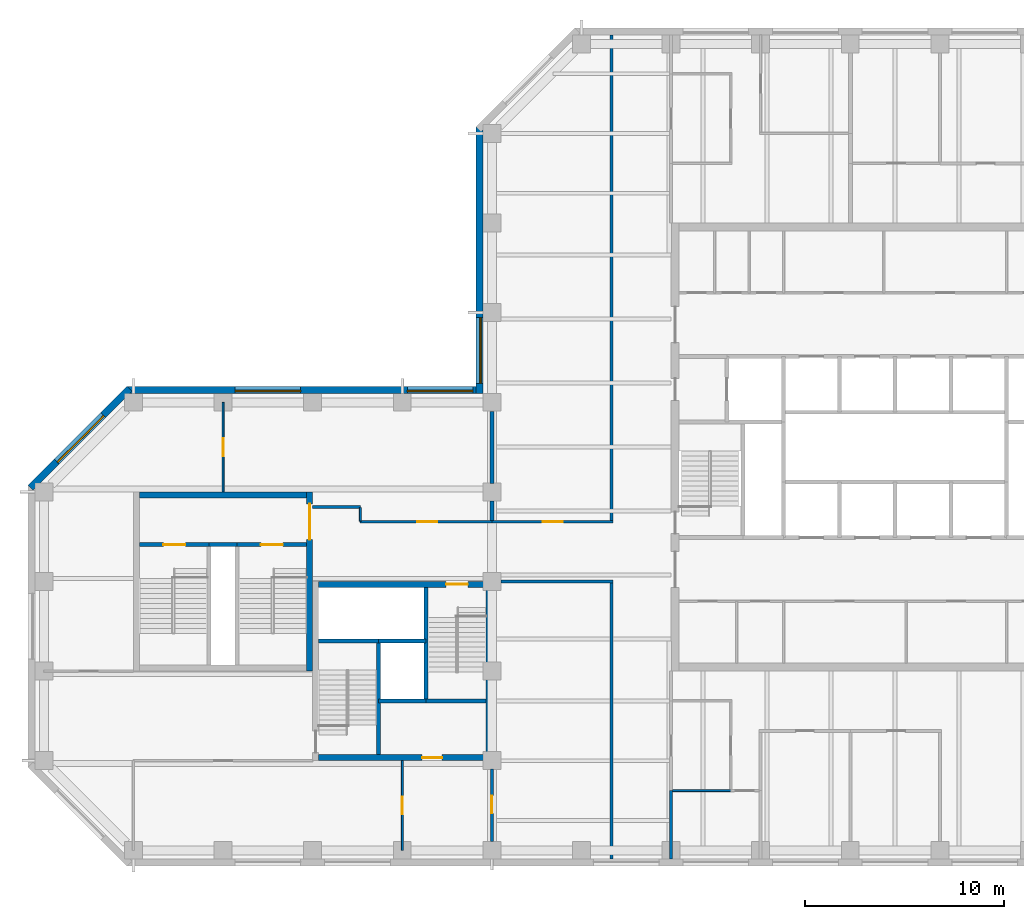
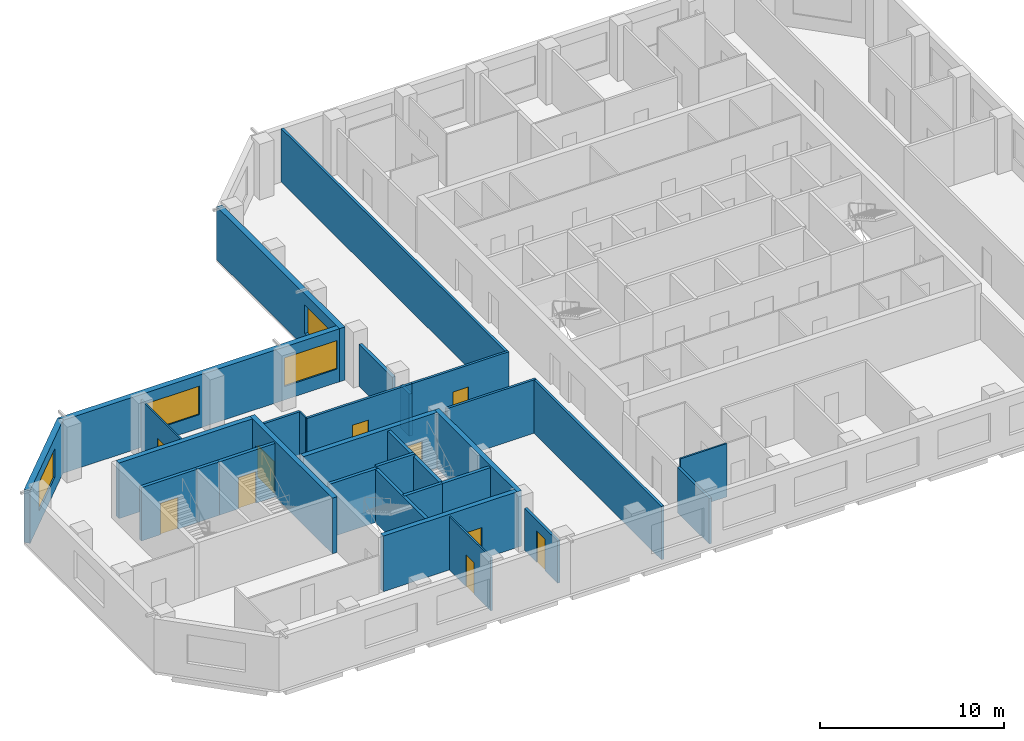
# One storey, part 3 of 9: 31 walls, 10 doors, 4 windows, 14 openings.
"""IFC4 building model written with IfcOpenShell, lengths in metres."""

from ifc_helpers import new_model, si_unit, direction, frame, frame_2d, origin, place, context, subcontext, project, spatial, rectangle, extrude, material, layer, layer_set, constituent, constituent_set, type_object, element, fill, save


model = new_model("IFC4")

# Units and contexts
model_context = context("Model", 3, precision=1e-05, world=origin(), true_north=direction((0.0, 1.0)))
body_context = subcontext(model_context, "Body", "Model", "MODEL_VIEW")
ifc_project = project(units=[si_unit("LENGTHUNIT", "METRE"), si_unit("AREAUNIT", "SQUARE_METRE"), si_unit("VOLUMEUNIT", "CUBIC_METRE"), si_unit("PLANEANGLEUNIT", "RADIAN"), si_unit("MASSUNIT", "GRAM", prefix="KILO")], contexts=[model_context])

# Site, building, storey
site_placement = place(None, origin())
site = spatial("IfcSite", under=ifc_project, at=site_placement, CompositionType="ELEMENT")
building_placement = place(site_placement, origin())
building = spatial("IfcBuilding", under=site, at=building_placement, Name="Quoin Convention Tower", CompositionType="ELEMENT")
storey_placement = place(building_placement, frame((0.0, 0.0, 245.199951171875)))
storey = spatial("IfcBuildingStorey", under=building, at=storey_placement, Name="L64", CompositionType="ELEMENT", Elevation=245.199951171875)

# Wall, opening, window
ifc_material_1 = material(Name="Brick masonry", Category="masonry")
ifc_layer_1 = layer(ifc_material_1, 0.35009765625)
ifc_layer_set_1 = layer_set([ifc_layer_1], Name="Brick masonry")
wall_type_1 = type_object("IfcWallType", Name="Brick facade wall", PredefinedType="STANDARD", material=ifc_layer_set_1)
wall_1_placement = place(storey_placement, frame((35.375, 76.831298828125, 0.0), z_axis=(0.0, 0.0, 1.0), x_axis=(0.0, -1.0, 0.0)))
wall_1 = element("IfcWall", 1, at=wall_1_placement, inside=storey, type_object=wall_type_1, Name="fw-L64-36000_76500", PredefinedType="STANDARD", context=body_context, shape_type="SweptSolid", body=[
    extrude(rectangle(XDim=13.38134765625, YDim=0.35009765625, at=frame_2d((6.690673828125, 0.0))), origin(), (0.0, 0.0, 1.0), 3.525146484375),
])
opening_1_placement = place(wall_1_placement, frame((9.581298828125, 0.0, 0.89990234375)))
opening_1 = element("IfcOpeningElement", 2, at=opening_1_placement, cuts=wall_1, Name="Opening W-02", PredefinedType="OPENING", context=body_context, shape_type="SweptSolid", body=[
    extrude(rectangle(XDim=3.300048828125, YDim=1.89990234375, at=frame_2d((1.64990234375, 0.949951171875))), frame((0.0, 0.18505859375, 0.0), z_axis=(0.0, -1.0, 0.0), x_axis=(1.0, 0.0, 0.0)), (0.0, 0.0, 1.0), 0.3701171875),
])
ifc_material_2 = material(Name="Aluminium", Category="aluminium")
ifc_constituent_1 = constituent(ifc_material_2, Name="Frame")
ifc_material_3 = material(Name="Insulated glass", Category="glass")
ifc_constituent_2 = constituent(ifc_material_3, Name="Glazing")
ifc_constituent_set = constituent_set(constituents=[ifc_constituent_1, ifc_constituent_2], Name="Aluminium")
window_type = type_object("IfcWindowType", Name="Office window", PartitioningType="DOUBLE_PANEL_VERTICAL", PredefinedType="WINDOW", material=ifc_constituent_set)
window_1_placement = place(opening_1_placement, origin())
window_1 = element("IfcWindow", 3, at=window_1_placement, inside=storey, type_object=window_type, Name="win-L64-35375_65250", OverallHeight=1.89990234375, OverallWidth=3.300048828125, PartitioningType="SINGLE_PANEL", PredefinedType="WINDOW", context=body_context, shape_type="SweptSolid", body=[
    extrude(rectangle(XDim=3.300048828125, YDim=1.89990234375, at=frame_2d((1.64990234375, 0.949951171875))), frame((0.0, 0.0849609375, 0.0), z_axis=(0.0, -1.0, 0.0), x_axis=(1.0, 0.0, 0.0)), (0.0, 0.0, 1.0), 0.06005859375),
])
fill(opening_1, window_1)

# Wall, openings, windows
wall_2_placement = place(storey_placement, frame((35.550048828125, 63.625, 0.0), z_axis=(0.0, 0.0, 1.0), x_axis=(-1.0, 0.0, 0.0)))
wall_2 = element("IfcWall", 4, at=wall_2_placement, inside=storey, type_object=wall_type_1, Name="fw-L64-36000_63000", PredefinedType="STANDARD", context=body_context, shape_type="SweptSolid", body=[
    extrude(rectangle(XDim=17.88134765625, YDim=0.35009765625, at=frame_2d((8.940673828125, 0.0))), origin(), (0.0, 0.0, 1.0), 3.525146484375),
])
opening_2_placement = place(wall_2_placement, frame((0.5, 0.0, 0.89990234375)))
opening_2 = element("IfcOpeningElement", 5, at=opening_2_placement, cuts=wall_2, Name="Opening W-02", PredefinedType="OPENING", context=body_context, shape_type="SweptSolid", body=[
    extrude(rectangle(XDim=3.300048828125, YDim=1.89990234375, at=frame_2d((1.64990234375, 0.949951171875))), frame((0.0, 0.18505859375, 0.0), z_axis=(0.0, -1.0, 0.0), x_axis=(1.0, 0.0, 0.0)), (0.0, 0.0, 1.0), 0.3701171875),
])
opening_3_placement = place(wall_2_placement, frame((9.14990234375, 0.0, 0.89990234375)))
opening_3 = element("IfcOpeningElement", 6, at=opening_3_placement, cuts=wall_2, Name="Opening W-02", PredefinedType="OPENING", context=body_context, shape_type="SweptSolid", body=[
    extrude(rectangle(XDim=3.300048828125, YDim=1.89990234375, at=frame_2d((1.64990234375, 0.949951171875))), frame((0.0, 0.18505859375, 0.0), z_axis=(0.0, -1.0, 0.0), x_axis=(1.0, 0.0, 0.0)), (0.0, 0.0, 1.0), 0.3701171875),
])
window_2_placement = place(opening_2_placement, origin())
window_2 = element("IfcWindow", 7, at=window_2_placement, inside=storey, type_object=window_type, Name="win-L64-33750_63625", OverallHeight=1.89990234375, OverallWidth=3.300048828125, PartitioningType="SINGLE_PANEL", PredefinedType="WINDOW", context=body_context, shape_type="SweptSolid", body=[
    extrude(rectangle(XDim=3.300048828125, YDim=1.89990234375, at=frame_2d((1.64990234375, 0.949951171875))), frame((0.0, 0.0849609375, 0.0), z_axis=(0.0, -1.0, 0.0), x_axis=(1.0, 0.0, 0.0)), (0.0, 0.0, 1.0), 0.06005859375),
])
fill(opening_2, window_2)
window_3_placement = place(opening_3_placement, origin())
window_3 = element("IfcWindow", 8, at=window_3_placement, inside=storey, type_object=window_type, Name="win-L64-24750_63625", OverallHeight=1.89990234375, OverallWidth=3.300048828125, PartitioningType="SINGLE_PANEL", PredefinedType="WINDOW", context=body_context, shape_type="SweptSolid", body=[
    extrude(rectangle(XDim=3.300048828125, YDim=1.89990234375, at=frame_2d((1.64990234375, 0.949951171875))), frame((0.0, 0.0849609375, 0.0), z_axis=(0.0, -1.0, 0.0), x_axis=(1.0, 0.0, 0.0)), (0.0, 0.0, 1.0), 0.06005859375),
])
fill(opening_3, window_3)

# Wall, opening, window
wall_3_placement = place(storey_placement, frame((17.79248046875, 63.67626953125, 0.0), z_axis=(0.0, 0.0, 1.0), x_axis=(-0.707106781187, -0.707106781187, 0.0)))
wall_3 = element("IfcWall", 9, at=wall_3_placement, inside=storey, type_object=wall_type_1, Name="fw-L64-18000_63000", PredefinedType="STANDARD", context=body_context, shape_type="SweptSolid", body=[
    extrude(rectangle(XDim=7.02685546875, YDim=0.35009765625, at=frame_2d((3.513427734375, 0.0))), origin(), (0.0, 0.0, 1.0), 3.525146484375),
])
opening_4_placement = place(wall_3_placement, frame((1.86328125, 0.0, 0.89990234375)))
opening_4 = element("IfcOpeningElement", 10, at=opening_4_placement, cuts=wall_3, Name="Opening W-02", PredefinedType="OPENING", context=body_context, shape_type="SweptSolid", body=[
    extrude(rectangle(XDim=3.300048828125, YDim=1.89990234375, at=frame_2d((1.64990234375, 0.949951171875))), frame((0.0, 0.18505859375, 0.0), z_axis=(0.0, -1.0, 0.0), x_axis=(1.0, 0.0, 0.0)), (0.0, 0.0, 1.0), 0.3701171875),
])
window_4_placement = place(opening_4_placement, origin())
window_4 = element("IfcWindow", 11, at=window_4_placement, inside=storey, type_object=window_type, Name="win-L64-15308_61192", OverallHeight=1.89990234375, OverallWidth=3.300048828125, PartitioningType="SINGLE_PANEL", PredefinedType="WINDOW", context=body_context, shape_type="SweptSolid", body=[
    extrude(rectangle(XDim=3.300048828125, YDim=1.89990234375, at=frame_2d((1.64990234375, 0.949951171875))), frame((0.0, 0.0849609375, 0.0), z_axis=(0.0, -1.0, 0.0), x_axis=(1.0, 0.0, 0.0)), (0.0, 0.0, 1.0), 0.06005859375),
])
fill(opening_4, window_4)

# Walls
ifc_material_4 = material(Name="Concrete C50", Category="concrete")
ifc_layer_2 = layer(ifc_material_4, 0.199951171875)
ifc_layer_set_2 = layer_set([ifc_layer_2], Name="Concrete C50")
wall_type_2 = type_object("IfcWallType", Name="Core shaft wall", PredefinedType="SOLIDWALL", material=ifc_layer_set_2)
wall_4_placement = place(storey_placement, frame((30.300048828125, 48.0, 0.0), z_axis=(0.0, 0.0, 1.0), x_axis=(1.0, 0.0, 0.0)))
element("IfcWall", 12, at=wall_4_placement, inside=storey, type_object=wall_type_2, Name="cr-P2-L64-h3000_3300", PredefinedType="SOLIDWALL", context=body_context, shape_type="SweptSolid", body=[
    extrude(rectangle(XDim=2.39990234375, YDim=0.199951171875, at=frame_2d((1.199951171875, 0.0))), origin(), (0.0, 0.0, 1.0), 3.550048828125),
])
for number, where, z_axis, x_axis, name in (
    (13, (32.699951171875, 48.0, 0.0), (0.0, 0.0, 1.0), (1.0, 0.0, 0.0), "cr-P2-L64-h3000_5700"),
    (14, (27.300048828125, 51.0, 0.0), (0.0, 0.0, 1.0), (1.0, 0.0, 0.0), "cr-P2-L64-h6000_300"),
):
    element("IfcWall", number, at=place(storey_placement, frame(where, z_axis=z_axis, x_axis=x_axis)), inside=storey, type_object=wall_type_2, Name=name, PredefinedType="SOLIDWALL", context=body_context, shape_type="SweptSolid", body=[
        extrude(rectangle(XDim=3.0, YDim=0.199951171875, at=frame_2d((1.5, 0.0))), origin(), (0.0, 0.0, 1.0), 3.550048828125),
    ])
for number, where, z_axis, x_axis, name in (
    (15, (30.300048828125, 45.300048828125, 0.0), (0.0, 0.0, 1.0), (0.0, 1.0, 0.0), "cr-P2-L64-v3300_300"),
    (16, (32.699951171875, 48.0, 0.0), (0.0, 0.0, 1.0), (0.0, 1.0, 0.0), "cr-P2-L64-v5700_3000"),
):
    element("IfcWall", number, at=place(storey_placement, frame(where, z_axis=z_axis, x_axis=x_axis)), inside=storey, type_object=wall_type_2, Name=name, PredefinedType="SOLIDWALL", context=body_context, shape_type="SweptSolid", body=[
        extrude(rectangle(XDim=5.699951171875, YDim=0.199951171875, at=frame_2d((2.85009765625, 0.0))), origin(), (0.0, 0.0, 1.0), 3.550048828125),
    ])
wall_5_placement = place(storey_placement, frame((21.800048828125, 55.85009765625, 0.0), z_axis=(0.0, 0.0, 1.0), x_axis=(1.0, 0.0, 0.0)))
element("IfcWall", 17, at=wall_5_placement, inside=storey, type_object=wall_type_2, Name="cr-P6-L64-h6350_3800", PredefinedType="SOLIDWALL", context=body_context, shape_type="SweptSolid", body=[
    extrude(rectangle(XDim=1.39990234375, YDim=0.199951171875, at=frame_2d((0.699951171875, 0.0))), origin(), (0.0, 0.0, 1.0), 3.550048828125),
])

# Wall, opening, door
wall_6_placement = place(storey_placement, frame((18.300048828125, 55.85009765625, 0.0), z_axis=(0.0, 0.0, 1.0), x_axis=(1.0, 0.0, 0.0)))
wall_6 = element("IfcWall", 18, at=wall_6_placement, inside=storey, type_object=wall_type_2, Name="cr-P6-L64-h6350_300", PredefinedType="SOLIDWALL", context=body_context, shape_type="SweptSolid", body=[
    extrude(rectangle(XDim=3.5, YDim=0.199951171875, at=frame_2d((1.75, 0.0))), origin(), (0.0, 0.0, 1.0), 3.550048828125),
])
opening_5_placement = place(wall_6_placement, frame((1.199951171875, 0.0, 0.0)))
opening_5 = element("IfcOpeningElement", 19, at=opening_5_placement, cuts=wall_6, Name="Opening SD11", PredefinedType="OPENING", context=body_context, shape_type="SweptSolid", body=[
    extrude(rectangle(XDim=1.10009765625, YDim=2.10009765625, at=frame_2d((0.550048828125, 1.050048828125))), frame((0.0, 0.10986328125, 0.0), z_axis=(0.0, -1.0, 0.0), x_axis=(1.0, 0.0, 0.0)), (0.0, 0.0, 1.0), 0.219970703125),
])
ifc_material_5 = material(Name="Steel door leaf", Category="steel")
door_type_1 = type_object("IfcDoorType", Name="Stair door 1100 x 2100", OperationType="SINGLE_SWING_RIGHT", PredefinedType="DOOR", material=ifc_material_5)
door_1_placement = place(opening_5_placement, origin())
door_1 = element("IfcDoor", 20, at=door_1_placement, inside=storey, type_object=door_type_1, Name="cd-P6-L64-SA-R2-SD11", OperationType="SINGLE_SWING_RIGHT", OverallHeight=2.10009765625, OverallWidth=1.10009765625, PredefinedType="DOOR", context=body_context, shape_type="SweptSolid", body=[
    extrude(rectangle(XDim=1.10009765625, YDim=2.10009765625, at=frame_2d((0.550048828125, 1.050048828125))), frame((0.0, 0.02490234375, 0.0), z_axis=(0.0, -1.0, 0.0), x_axis=(1.0, 0.0, 0.0)), (0.0, 0.0, 1.0), 0.050048828125),
])
fill(opening_5, door_1)

wall_7_placement = place(storey_placement, frame((23.199951171875, 55.85009765625, 0.0), z_axis=(0.0, 0.0, 1.0), x_axis=(1.0, 0.0, 0.0)))
wall_7 = element("IfcWall", 21, at=wall_7_placement, inside=storey, type_object=wall_type_2, Name="cr-P6-L64-h6350_5200", PredefinedType="SOLIDWALL", context=body_context, shape_type="SweptSolid", body=[
    extrude(rectangle(XDim=3.5, YDim=0.199951171875, at=frame_2d((1.75, 0.0))), origin(), (0.0, 0.0, 1.0), 3.550048828125),
])
opening_6_placement = place(wall_7_placement, frame((1.199951171875, 0.0, 0.0)))
opening_6 = element("IfcOpeningElement", 22, at=opening_6_placement, cuts=wall_7, Name="Opening SD12", PredefinedType="OPENING", context=body_context, shape_type="SweptSolid", body=[
    extrude(rectangle(XDim=1.10009765625, YDim=2.10009765625, at=frame_2d((0.550048828125, 1.050048828125))), frame((0.0, 0.10986328125, 0.0), z_axis=(0.0, -1.0, 0.0), x_axis=(1.0, 0.0, 0.0)), (0.0, 0.0, 1.0), 0.219970703125),
])
door_2_placement = place(opening_6_placement, origin())
door_2 = element("IfcDoor", 23, at=door_2_placement, inside=storey, type_object=door_type_1, Name="cd-P6-L64-SB-R2-SD12", OperationType="SINGLE_SWING_RIGHT", OverallHeight=2.10009765625, OverallWidth=1.10009765625, PredefinedType="DOOR", context=body_context, shape_type="SweptSolid", body=[
    extrude(rectangle(XDim=1.10009765625, YDim=2.10009765625, at=frame_2d((0.550048828125, 1.050048828125))), frame((0.0, 0.02490234375, 0.0), z_axis=(0.0, -1.0, 0.0), x_axis=(1.0, 0.0, 0.0)), (0.0, 0.0, 1.0), 0.050048828125),
])
fill(opening_6, door_2)

# Walls
ifc_layer_3 = layer(ifc_material_4, 0.199951171875)
ifc_layer_set_3 = layer_set([ifc_layer_3], Name="Concrete C50")
wall_type_3 = type_object("IfcWallType", Name="Core shaft wall to the floor level over", PredefinedType="SOLIDWALL", material=ifc_layer_set_3)
wall_8_placement = place(storey_placement, frame((30.300048828125, 51.0, 0.0), z_axis=(0.0, 0.0, 1.0), x_axis=(1.0, 0.0, 0.0)))
element("IfcWall", 24, at=wall_8_placement, inside=storey, type_object=wall_type_3, Name="cr-P2-L64-h6000_3300", PredefinedType="SOLIDWALL", context=body_context, shape_type="SweptSolid", body=[
    extrude(rectangle(XDim=2.39990234375, YDim=0.199951171875, at=frame_2d((1.199951171875, 0.0))), origin(), (0.0, 0.0, 1.0), 3.699951171875),
])
ifc_material_6 = material(Name="Plasterboard")
ifc_layer_4 = layer(ifc_material_6, 0.012451171875, Name="Finish")
ifc_material_7 = material(Name="Steel stud framing", Category="steel")
ifc_layer_5 = layer(ifc_material_7, 0.125, Name="Structure")
ifc_layer_6 = layer(ifc_material_6, 0.012451171875, Name="Finish")
ifc_layer_set_4 = layer_set([ifc_layer_4, ifc_layer_5, ifc_layer_6], Name="Steel stud framing")
wall_type_4 = type_object("IfcWallType", Name="Corridor wall 150", PredefinedType="PARTITIONING", material=ifc_layer_set_4)
wall_9_placement = place(storey_placement, frame((36.449951171875, 54.0, 0.0), z_axis=(0.0, 0.0, 1.0), x_axis=(1.0, 0.0, 0.0)))
element("IfcWall", 25, at=wall_9_placement, inside=storey, type_object=wall_type_4, Name="pw-L64-016", PredefinedType="PARTITIONING", context=body_context, shape_type="SweptSolid", body=[
    extrude(rectangle(XDim=5.625, YDim=0.14990234375, at=frame_2d((2.8125, 0.0))), origin(), (0.0, 0.0, 1.0), 3.550048828125),
])

# Wall, opening, door
wall_10_placement = place(storey_placement, frame((29.3798828125, 57.0, 0.0), z_axis=(0.0, 0.0, 1.0), x_axis=(1.0, 0.0, 0.0)))
wall_10 = element("IfcWall", 26, at=wall_10_placement, inside=storey, type_object=wall_type_4, Name="pw-L64-018", PredefinedType="PARTITIONING", context=body_context, shape_type="SweptSolid", body=[
    extrude(rectangle(XDim=6.6201171875, YDim=0.14990234375, at=frame_2d((3.31005859375, 0.0))), origin(), (0.0, 0.0, 1.0), 3.550048828125),
])
opening_7_placement = place(wall_10_placement, frame((2.8798828125, 0.0, 0.0)))
opening_7 = element("IfcOpeningElement", 27, at=opening_7_placement, cuts=wall_10, Name="Opening DOH12-05", PredefinedType="OPENING", context=body_context, shape_type="SweptSolid", body=[
    extrude(rectangle(XDim=1.0, YDim=2.10009765625, at=frame_2d((0.5, 1.050048828125))), frame((0.0, 0.0849609375, 0.0), z_axis=(0.0, -1.0, 0.0), x_axis=(1.0, 0.0, 0.0)), (0.0, 0.0, 1.0), 0.169921875),
])
door_type_2 = type_object("IfcDoorType", Name="Tenancy entrance door 1000 x 2100", OperationType="DOUBLE_DOOR_SINGLE_SWING", PredefinedType="DOOR", material=ifc_material_5)
door_3_placement = place(opening_7_placement, origin())
door_3 = element("IfcDoor", 28, at=door_3_placement, inside=storey, type_object=door_type_2, Name="dr-L64-w01", OperationType="DOUBLE_DOOR_SINGLE_SWING", OverallHeight=2.10009765625, OverallWidth=1.0, PredefinedType="DOOR", context=body_context, shape_type="SweptSolid", body=[
    extrude(rectangle(XDim=1.0, YDim=2.10009765625, at=frame_2d((0.5, 1.050048828125))), frame((0.0, 0.02490234375, 0.0), z_axis=(0.0, -1.0, 0.0), x_axis=(1.0, 0.0, 0.0)), (0.0, 0.0, 1.0), 0.050048828125),
])
fill(opening_7, door_3)

wall_11_placement = place(storey_placement, frame((36.0, 57.0, 0.0), z_axis=(0.0, 0.0, 1.0), x_axis=(1.0, 0.0, 0.0)))
wall_11 = element("IfcWall", 29, at=wall_11_placement, inside=storey, type_object=wall_type_4, Name="pw-L64-019", PredefinedType="PARTITIONING", context=body_context, shape_type="SweptSolid", body=[
    extrude(rectangle(XDim=6.074951171875, YDim=0.14990234375, at=frame_2d((3.03759765625, 0.0))), origin(), (0.0, 0.0, 1.0), 3.550048828125),
])
opening_8_placement = place(wall_11_placement, frame((2.550048828125, 0.0, 0.0)))
opening_8 = element("IfcOpeningElement", 30, at=opening_8_placement, cuts=wall_11, Name="Opening DOH12-06", PredefinedType="OPENING", context=body_context, shape_type="SweptSolid", body=[
    extrude(rectangle(XDim=1.0, YDim=2.10009765625, at=frame_2d((0.5, 1.050048828125))), frame((0.0, 0.0849609375, 0.0), z_axis=(0.0, -1.0, 0.0), x_axis=(1.0, 0.0, 0.0)), (0.0, 0.0, 1.0), 0.169921875),
])
door_4_placement = place(opening_8_placement, origin())
door_4 = element("IfcDoor", 31, at=door_4_placement, inside=storey, type_object=door_type_2, Name="dr-L64-10", OperationType="DOUBLE_DOOR_SINGLE_SWING", OverallHeight=2.10009765625, OverallWidth=1.0, PredefinedType="DOOR", context=body_context, shape_type="SweptSolid", body=[
    extrude(rectangle(XDim=1.0, YDim=2.10009765625, at=frame_2d((0.5, 1.050048828125))), frame((0.0, 0.02490234375, 0.0), z_axis=(0.0, -1.0, 0.0), x_axis=(1.0, 0.0, 0.0)), (0.0, 0.0, 1.0), 0.050048828125),
])
fill(opening_8, door_4)

# Walls
wall_12_placement = place(storey_placement, frame((42.0, 40.050048828125, 0.0), z_axis=(0.0, 0.0, 1.0), x_axis=(0.0, 1.0, 0.0)))
element("IfcWall", 32, at=wall_12_placement, inside=storey, type_object=wall_type_4, Name="pw-L64-034", PredefinedType="PARTITIONING", context=body_context, shape_type="SweptSolid", body=[
    extrude(rectangle(XDim=13.875, YDim=0.14990234375, at=frame_2d((6.9375, 0.0))), origin(), (0.0, 0.0, 1.0), 3.550048828125),
])
wall_13_placement = place(storey_placement, frame((42.0, 57.074951171875, 0.0), z_axis=(0.0, 0.0, 1.0), x_axis=(0.0, 1.0, 0.0)))
element("IfcWall", 33, at=wall_13_placement, inside=storey, type_object=wall_type_4, Name="pw-L64-058", PredefinedType="PARTITIONING", context=body_context, shape_type="SweptSolid", body=[
    extrude(rectangle(XDim=24.375, YDim=0.14990234375, at=frame_2d((12.1875, 0.0))), origin(), (0.0, 0.0, 1.0), 3.550048828125),
])
wall_14_placement = place(storey_placement, frame((27.0, 57.75, 0.0), z_axis=(0.0, 0.0, 1.0), x_axis=(1.0, 0.0, 0.0)))
element("IfcWall", 34, at=wall_14_placement, inside=storey, type_object=wall_type_4, Name="pw-L64-w06", PredefinedType="PARTITIONING", context=body_context, shape_type="SweptSolid", body=[
    extrude(rectangle(XDim=2.39990234375, YDim=0.14990234375, at=frame_2d((1.199951171875, 0.0))), origin(), (0.0, 0.0, 1.0), 3.550048828125),
])
ifc_layer_7 = layer(ifc_material_6, 0.012451171875, Name="Finish")
ifc_layer_8 = layer(ifc_material_7, 0.125, Name="Structure")
ifc_layer_9 = layer(ifc_material_6, 0.012451171875, Name="Finish")
ifc_layer_set_5 = layer_set([ifc_layer_7, ifc_layer_8, ifc_layer_9], Name="Steel stud framing")
wall_type_5 = type_object("IfcWallType", Name="Corridor wall 150 under beam 528", PredefinedType="PARTITIONING", material=ifc_layer_set_5)
wall_15_placement = place(storey_placement, frame((45.0, 40.050048828125, 0.0), z_axis=(0.0, 0.0, 1.0), x_axis=(0.0, 1.0, 0.0)))
element("IfcWall", 35, at=wall_15_placement, inside=storey, type_object=wall_type_5, Name="pw-L64-035", PredefinedType="PARTITIONING", context=body_context, shape_type="SweptSolid", body=[
    extrude(rectangle(XDim=3.449951171875, YDim=0.14990234375, at=frame_2d((1.72509765625, 0.0))), origin(), (0.0, 0.0, 1.0), 3.02197265625),
])

# Wall, opening, door
ifc_layer_10 = layer(ifc_material_6, 0.012451171875, Name="Finish")
ifc_layer_11 = layer(ifc_material_7, 0.125, Name="Structure")
ifc_layer_12 = layer(ifc_material_6, 0.012451171875, Name="Finish")
ifc_layer_set_6 = layer_set([ifc_layer_10, ifc_layer_11, ifc_layer_12], Name="Steel stud framing")
wall_type_6 = type_object("IfcWallType", Name="Corridor wall 150 under beam 750", PredefinedType="PARTITIONING", material=ifc_layer_set_6)
wall_16_placement = place(storey_placement, frame((36.0, 40.949951171875, 0.0), z_axis=(0.0, 0.0, 1.0), x_axis=(0.0, 1.0, 0.0)))
wall_16 = element("IfcWall", 36, at=wall_16_placement, inside=storey, type_object=wall_type_6, Name="pw-L64-041", PredefinedType="PARTITIONING", context=body_context, shape_type="SweptSolid", body=[
    extrude(rectangle(XDim=3.630126953125, YDim=0.14990234375, at=frame_2d((1.81494140625, 0.0))), origin(), (0.0, 0.0, 1.0), 2.800048828125),
])
opening_9_placement = place(wall_16_placement, frame((1.39990234375, 0.0, 0.0)))
opening_9 = element("IfcOpeningElement", 37, at=opening_9_placement, cuts=wall_16, Name="Opening DOH12-09", PredefinedType="OPENING", context=body_context, shape_type="SweptSolid", body=[
    extrude(rectangle(XDim=0.89990234375, YDim=2.10009765625, at=frame_2d((0.449951171875, 1.050048828125))), frame((0.0, 0.0849609375, 0.0), z_axis=(0.0, -1.0, 0.0), x_axis=(1.0, 0.0, 0.0)), (0.0, 0.0, 1.0), 0.169921875),
])
door_type_3 = type_object("IfcDoorType", Name="Office door 900 x 2100", OperationType="SINGLE_SWING_RIGHT", PredefinedType="DOOR", material=ifc_material_5)
door_5_placement = place(opening_9_placement, frame((0.89990234375, 0.0, 0.0), z_axis=(0.0, 0.0, 1.0), x_axis=(-1.0, 0.0, 0.0)))
door_5 = element("IfcDoor", 38, at=door_5_placement, inside=storey, type_object=door_type_3, Name="dr-L64-01", OperationType="SINGLE_SWING_LEFT", OverallHeight=2.10009765625, OverallWidth=0.89990234375, PredefinedType="DOOR", context=body_context, shape_type="SweptSolid", body=[
    extrude(rectangle(XDim=0.89990234375, YDim=2.10009765625, at=frame_2d((0.449951171875, 1.050048828125))), frame((0.0, 0.02490234375, 0.0), z_axis=(0.0, -1.0, 0.0), x_axis=(1.0, 0.0, 0.0)), (0.0, 0.0, 1.0), 0.050048828125),
])
fill(opening_9, door_5)

ifc_layer_13 = layer(ifc_material_4, 0.300048828125)
ifc_layer_set_7 = layer_set([ifc_layer_13], Name="Concrete C50")
wall_type_7 = type_object("IfcWallType", Name="RC CORE WALL 300 C50", PredefinedType="SHEAR", material=ifc_layer_set_7)
wall_17_placement = place(storey_placement, frame((27.300048828125, 45.14990234375, 0.0), z_axis=(0.0, 0.0, 1.0), x_axis=(1.0, 0.0, 0.0)))
wall_17 = element("IfcWall", 39, at=wall_17_placement, inside=storey, type_object=wall_type_7, Name="cwl-P2-L64-S", PredefinedType="SHEAR", context=body_context, shape_type="SweptSolid", body=[
    extrude(rectangle(XDim=8.39990234375, YDim=0.300048828125, at=frame_2d((4.199951171875, 0.0))), origin(), (0.0, 0.0, 1.0), 3.699951171875),
])
opening_10_placement = place(wall_17_placement, frame((5.199951171875, 0.0, 0.0)))
opening_10 = element("IfcOpeningElement", 40, at=opening_10_placement, cuts=wall_17, Name="Opening DCV4-42", PredefinedType="OPENING", context=body_context, shape_type="SweptSolid", body=[
    extrude(rectangle(XDim=1.0, YDim=2.10009765625, at=frame_2d((0.5, 1.050048828125))), frame((0.0, 0.159912109375, 0.0), z_axis=(0.0, -1.0, 0.0), x_axis=(1.0, 0.0, 0.0)), (0.0, 0.0, 1.0), 0.320068359375),
])
door_type_4 = type_object("IfcDoorType", Name="Service door 1000 x 2100", OperationType="SINGLE_SWING_LEFT", PredefinedType="DOOR", material=ifc_material_5)
door_6_placement = place(opening_10_placement, frame((1.0, 0.0, 0.0), z_axis=(0.0, 0.0, 1.0), x_axis=(-1.0, 0.0, 0.0)))
door_6 = element("IfcDoor", 41, at=door_6_placement, inside=storey, type_object=door_type_4, Name="cd-P2-L64-R2-S", OperationType="SINGLE_SWING_RIGHT", OverallHeight=2.10009765625, OverallWidth=1.0, PredefinedType="DOOR", context=body_context, shape_type="SweptSolid", body=[
    extrude(rectangle(XDim=1.0, YDim=2.10009765625, at=frame_2d((0.5, 1.050048828125))), frame((0.0, 0.02490234375, 0.0), z_axis=(0.0, -1.0, 0.0), x_axis=(1.0, 0.0, 0.0)), (0.0, 0.0, 1.0), 0.050048828125),
])
fill(opening_10, door_6)

wall_18_placement = place(storey_placement, frame((27.300048828125, 53.85009765625, 0.0), z_axis=(0.0, 0.0, 1.0), x_axis=(1.0, 0.0, 0.0)))
wall_18 = element("IfcWall", 42, at=wall_18_placement, inside=storey, type_object=wall_type_7, Name="cwl-P2-L64-N", PredefinedType="SHEAR", context=body_context, shape_type="SweptSolid", body=[
    extrude(rectangle(XDim=8.39990234375, YDim=0.300048828125, at=frame_2d((4.199951171875, 0.0))), origin(), (0.0, 0.0, 1.0), 3.699951171875),
])
opening_11_placement = place(wall_18_placement, frame((6.39990234375, 0.0, 0.0)))
opening_11 = element("IfcOpeningElement", 43, at=opening_11_placement, cuts=wall_18, Name="Opening SD4", PredefinedType="OPENING", context=body_context, shape_type="SweptSolid", body=[
    extrude(rectangle(XDim=1.10009765625, YDim=2.10009765625, at=frame_2d((0.550048828125, 1.050048828125))), frame((0.0, 0.159912109375, 0.0), z_axis=(0.0, -1.0, 0.0), x_axis=(1.0, 0.0, 0.0)), (0.0, 0.0, 1.0), 0.320068359375),
])
door_7_placement = place(opening_11_placement, frame((1.10009765625, 0.0, 0.0), z_axis=(0.0, 0.0, 1.0), x_axis=(-1.0, 0.0, 0.0)))
door_7 = element("IfcDoor", 44, at=door_7_placement, inside=storey, type_object=door_type_1, Name="cd-P2-L64-SB-N", OperationType="SINGLE_SWING_LEFT", OverallHeight=2.10009765625, OverallWidth=1.10009765625, PredefinedType="DOOR", context=body_context, shape_type="SweptSolid", body=[
    extrude(rectangle(XDim=1.10009765625, YDim=2.10009765625, at=frame_2d((0.550048828125, 1.050048828125))), frame((0.0, 0.02490234375, 0.0), z_axis=(0.0, -1.0, 0.0), x_axis=(1.0, 0.0, 0.0)), (0.0, 0.0, 1.0), 0.050048828125),
])
fill(opening_11, door_7)

# Walls
wall_19_placement = place(storey_placement, frame((35.85009765625, 45.0, 0.0), z_axis=(0.0, 0.0, 1.0), x_axis=(0.0, 1.0, 0.0)))
element("IfcWall", 45, at=wall_19_placement, inside=storey, type_object=wall_type_7, Name="cwl-P2-L64-E", PredefinedType="SHEAR", context=body_context, shape_type="SweptSolid", body=[
    extrude(rectangle(XDim=9.0, YDim=0.300048828125, at=frame_2d((4.5, 0.0))), origin(), (0.0, 0.0, 1.0), 3.699951171875),
])
wall_20_placement = place(storey_placement, frame((18.300048828125, 58.35009765625, 0.0), z_axis=(0.0, 0.0, 1.0), x_axis=(1.0, 0.0, 0.0)))
element("IfcWall", 46, at=wall_20_placement, inside=storey, type_object=wall_type_7, Name="cwl-P6-L64-N", PredefinedType="SHEAR", context=body_context, shape_type="SweptSolid", body=[
    extrude(rectangle(XDim=8.39990234375, YDim=0.300048828125, at=frame_2d((4.199951171875, 0.0))), origin(), (0.0, 0.0, 1.0), 3.699951171875),
])

# Wall, opening, door
wall_21_placement = place(storey_placement, frame((26.85009765625, 49.5, 0.0), z_axis=(0.0, 0.0, 1.0), x_axis=(0.0, 1.0, 0.0)))
wall_21 = element("IfcWall", 47, at=wall_21_placement, inside=storey, type_object=wall_type_7, Name="cwl-P6-L64-E", PredefinedType="SHEAR", context=body_context, shape_type="SweptSolid", body=[
    extrude(rectangle(XDim=9.0, YDim=0.300048828125, at=frame_2d((4.5, 0.0))), origin(), (0.0, 0.0, 1.0), 3.699951171875),
])
opening_12_placement = place(wall_21_placement, frame((6.60009765625, 0.0, 0.0)))
opening_12 = element("IfcOpeningElement", 48, at=opening_12_placement, cuts=wall_21, Name="Opening DCV4-45", PredefinedType="OPENING", context=body_context, shape_type="SweptSolid", body=[
    extrude(rectangle(XDim=1.800048828125, YDim=2.10009765625, at=frame_2d((0.89990234375, 1.050048828125))), frame((0.0, 0.159912109375, 0.0), z_axis=(0.0, -1.0, 0.0), x_axis=(1.0, 0.0, 0.0)), (0.0, 0.0, 1.0), 0.320068359375),
])
door_type_5 = type_object("IfcDoorType", Name="Goods lobby door 1800 x 2100", OperationType="SINGLE_SWING_LEFT", PredefinedType="DOOR", material=ifc_material_5)
door_8_placement = place(opening_12_placement, origin())
door_8 = element("IfcDoor", 49, at=door_8_placement, inside=storey, type_object=door_type_5, Name="cd-P6-L64-R2-E", OperationType="SINGLE_SWING_LEFT", OverallHeight=2.10009765625, OverallWidth=1.800048828125, PredefinedType="DOOR", context=body_context, shape_type="SweptSolid", body=[
    extrude(rectangle(XDim=1.800048828125, YDim=2.10009765625, at=frame_2d((0.89990234375, 1.050048828125))), frame((0.0, 0.02490234375, 0.0), z_axis=(0.0, -1.0, 0.0), x_axis=(1.0, 0.0, 0.0)), (0.0, 0.0, 1.0), 0.050048828125),
])
fill(opening_12, door_8)

# Wall
ifc_layer_14 = layer(ifc_material_6, 0.012451171875, Name="Finish")
ifc_layer_15 = layer(ifc_material_7, 0.074951171875, Name="Structure")
ifc_layer_16 = layer(ifc_material_6, 0.012451171875, Name="Finish")
ifc_layer_set_8 = layer_set([ifc_layer_14, ifc_layer_15, ifc_layer_16], Name="Steel stud framing")
wall_type_8 = type_object("IfcWallType", Name="Stud partition 100", PredefinedType="PARTITIONING", material=ifc_layer_set_8)
wall_22_placement = place(storey_placement, frame((45.074951171875, 43.5, 0.0), z_axis=(0.0, 0.0, 1.0), x_axis=(1.0, 0.0, 0.0)))
element("IfcWall", 50, at=wall_22_placement, inside=storey, type_object=wall_type_8, Name="pw-L64-002", PredefinedType="PARTITIONING", context=body_context, shape_type="SweptSolid", body=[
    extrude(rectangle(XDim=2.925048828125, YDim=0.10009765625, at=frame_2d((1.46240234375, 0.0))), origin(), (0.0, 0.0, 1.0), 3.550048828125),
])

# Wall, opening, door
wall_23_placement = place(storey_placement, frame((22.5, 63.0, 0.0), z_axis=(0.0, 0.0, 1.0), x_axis=(0.0, -1.0, 0.0)))
wall_23 = element("IfcWall", 51, at=wall_23_placement, inside=storey, type_object=wall_type_8, Name="pw-L64-w01", PredefinedType="PARTITIONING", context=body_context, shape_type="SweptSolid", body=[
    extrude(rectangle(XDim=4.5, YDim=0.10009765625, at=frame_2d((2.25, 0.0))), origin(), (0.0, 0.0, 1.0), 3.550048828125),
])
opening_13_placement = place(wall_23_placement, frame((1.800048828125, 0.0, 0.0)))
opening_13 = element("IfcOpeningElement", 52, at=opening_13_placement, cuts=wall_23, Name="Opening DOH12-23", PredefinedType="OPENING", context=body_context, shape_type="SweptSolid", body=[
    extrude(rectangle(XDim=0.89990234375, YDim=2.10009765625, at=frame_2d((0.449951171875, 1.050048828125))), frame((0.0, 0.06005859375, 0.0), z_axis=(0.0, -1.0, 0.0), x_axis=(1.0, 0.0, 0.0)), (0.0, 0.0, 1.0), 0.1201171875),
])
door_9_placement = place(opening_13_placement, origin())
door_9 = element("IfcDoor", 53, at=door_9_placement, inside=storey, type_object=door_type_3, Name="dr-L64-w02", OperationType="SINGLE_SWING_LEFT", OverallHeight=2.10009765625, OverallWidth=0.89990234375, PredefinedType="DOOR", context=body_context, shape_type="SweptSolid", body=[
    extrude(rectangle(XDim=0.89990234375, YDim=2.10009765625, at=frame_2d((0.449951171875, 1.050048828125))), frame((0.0, 0.02490234375, 0.0), z_axis=(0.0, -1.0, 0.0), x_axis=(1.0, 0.0, 0.0)), (0.0, 0.0, 1.0), 0.050048828125),
])
fill(opening_13, door_9)

wall_24_placement = place(storey_placement, frame((31.5, 45.0, 0.0), z_axis=(0.0, 0.0, 1.0), x_axis=(0.0, -1.0, 0.0)))
wall_24 = element("IfcWall", 54, at=wall_24_placement, inside=storey, type_object=wall_type_8, Name="pw-L64-w05", PredefinedType="PARTITIONING", context=body_context, shape_type="SweptSolid", body=[
    extrude(rectangle(XDim=4.5, YDim=0.10009765625, at=frame_2d((2.25, 0.0))), origin(), (0.0, 0.0, 1.0), 3.550048828125),
])
opening_14_placement = place(wall_24_placement, frame((1.800048828125, 0.0, 0.0)))
opening_14 = element("IfcOpeningElement", 55, at=opening_14_placement, cuts=wall_24, Name="Opening DOH12-26", PredefinedType="OPENING", context=body_context, shape_type="SweptSolid", body=[
    extrude(rectangle(XDim=0.89990234375, YDim=2.10009765625, at=frame_2d((0.449951171875, 1.050048828125))), frame((0.0, 0.06005859375, 0.0), z_axis=(0.0, -1.0, 0.0), x_axis=(1.0, 0.0, 0.0)), (0.0, 0.0, 1.0), 0.1201171875),
])
door_10_placement = place(opening_14_placement, frame((0.89990234375, 0.0, 0.0), z_axis=(0.0, 0.0, 1.0), x_axis=(-1.0, 0.0, 0.0)))
door_10 = element("IfcDoor", 56, at=door_10_placement, inside=storey, type_object=door_type_3, Name="dr-L64-w05", OperationType="SINGLE_SWING_RIGHT", OverallHeight=2.10009765625, OverallWidth=0.89990234375, PredefinedType="DOOR", context=body_context, shape_type="SweptSolid", body=[
    extrude(rectangle(XDim=0.89990234375, YDim=2.10009765625, at=frame_2d((0.449951171875, 1.050048828125))), frame((0.0, 0.02490234375, 0.0), z_axis=(0.0, -1.0, 0.0), x_axis=(1.0, 0.0, 0.0)), (0.0, 0.0, 1.0), 0.050048828125),
])
fill(opening_14, door_10)

# Walls
wall_25_placement = place(storey_placement, frame((29.39990234375, 57.715087890625, 0.0), z_axis=(0.0, 0.0, 1.0), x_axis=(0.0, -1.0, 0.0)))
element("IfcWall", 57, at=wall_25_placement, inside=storey, type_object=wall_type_8, Name="pw-L64-w07", PredefinedType="PARTITIONING", context=body_context, shape_type="SweptSolid", body=[
    extrude(rectangle(XDim=0.68017578125, YDim=0.10009765625, at=frame_2d((0.340087890625, 0.0))), origin(), (0.0, 0.0, 1.0), 3.550048828125),
])
ifc_layer_17 = layer(ifc_material_6, 0.012451171875, Name="Finish")
ifc_layer_18 = layer(ifc_material_7, 0.175048828125, Name="Structure")
ifc_layer_19 = layer(ifc_material_6, 0.012451171875, Name="Finish")
ifc_layer_set_9 = layer_set([ifc_layer_17, ifc_layer_18, ifc_layer_19], Name="Steel stud framing")
wall_type_9 = type_object("IfcWallType", Name="Tenancy demising wall 200 under beam 750", PredefinedType="PARTITIONING", material=ifc_layer_set_9)
wall_26_placement = place(storey_placement, frame((36.0, 57.074951171875, 0.0), z_axis=(0.0, 0.0, 1.0), x_axis=(0.0, 1.0, 0.0)))
element("IfcWall", 58, at=wall_26_placement, inside=storey, type_object=wall_type_9, Name="pw-L64-057", PredefinedType="PARTITIONING", context=body_context, shape_type="SweptSolid", body=[
    extrude(rectangle(XDim=0.97509765625, YDim=0.199951171875, at=frame_2d((0.487548828125, 0.0))), origin(), (0.0, 0.0, 1.0), 2.800048828125),
])
wall_27_placement = place(storey_placement, frame((36.0, 58.919921875, 0.0), z_axis=(0.0, 0.0, 1.0), x_axis=(0.0, 1.0, 0.0)))
element("IfcWall", 59, at=wall_27_placement, inside=storey, type_object=wall_type_9, Name="pw-L64-059", PredefinedType="PARTITIONING", context=body_context, shape_type="SweptSolid", body=[
    extrude(rectangle(XDim=3.630126953125, YDim=0.199951171875, at=frame_2d((1.81494140625, 0.0))), origin(), (0.0, 0.0, 1.0), 2.800048828125),
])

save(model, "model.ifc")
